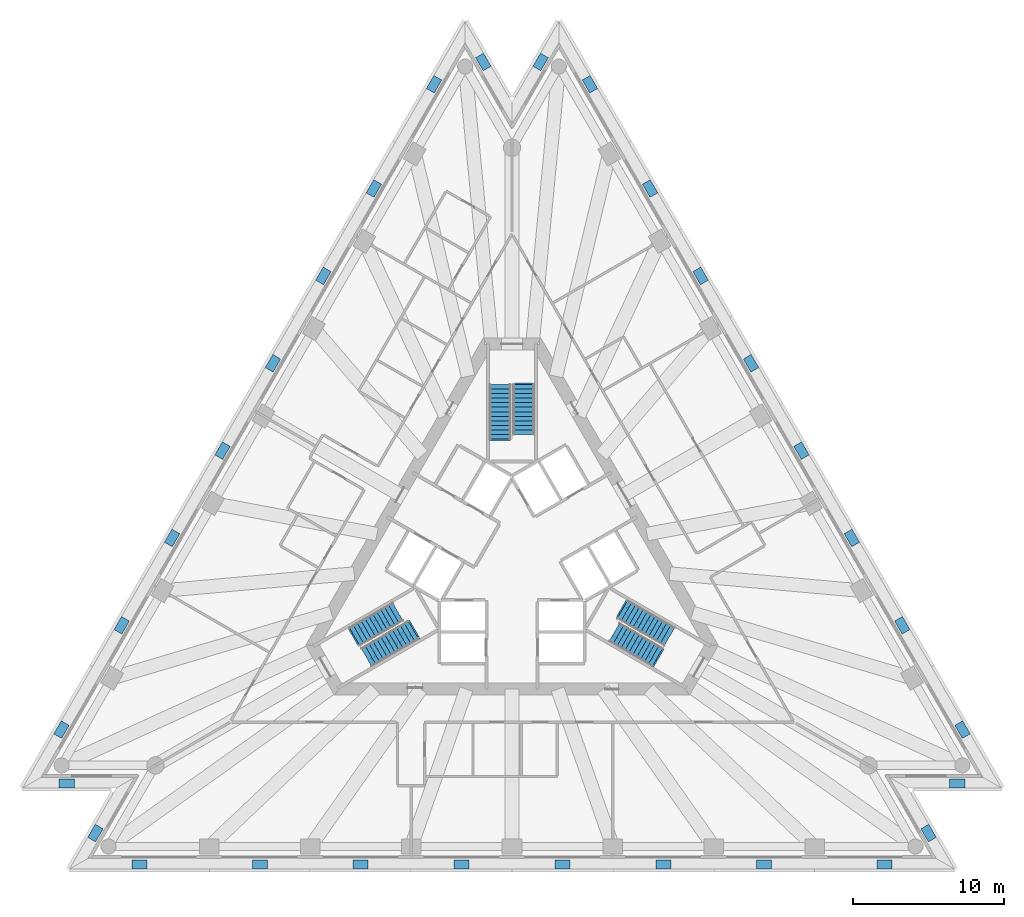
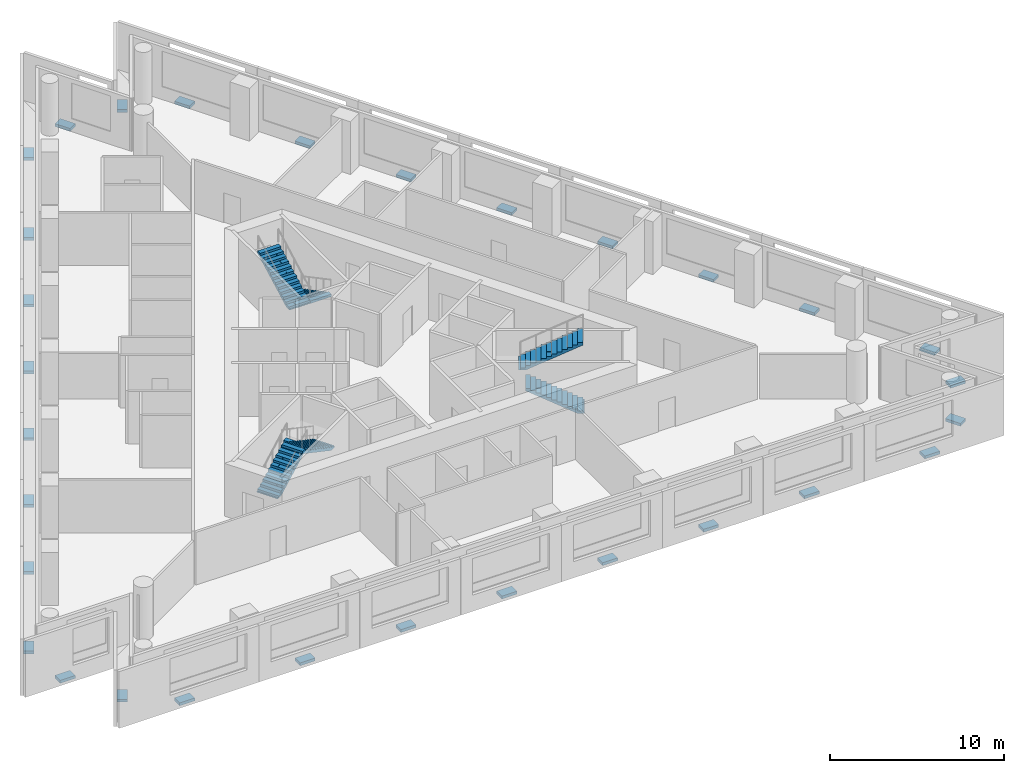
# One storey, part 7 of 9: 30 discrete accessories, 6 stair flights, 3 elements without a shape of their own.
"""IFC4 building model written with IfcOpenShell, lengths in metres."""

import ifcopenshell
import ifcopenshell.guid

model = None  # the IFC model being written
_history = None  # IfcOwnerHistory: only IFC2X3 demands one
_inside = {}  # id of a spatial element -> (the spatial element, [elements in it])
_under = {}  # id of a project, library or spatial element -> (it, [spatial elements below it])
_declared = {}  # id of a project -> (the project, [libraries it declares])
_typed = {}  # id of a type object -> (the type object, [elements of that type])
_made_of = {}  # id of a material, layer set ... -> (it, [elements and type objects made of it])


def new_model(schema):
    """Start an empty IFC model of exactly this schema.

    Asked for "IFC4X3", IfcOpenShell would pick the latest addendum, in which some entities
    have other attributes; the version numbers below select the first issue.
    IFC2X3 requires an IfcOwnerHistory on every rooted entity: one is made here for all.
    """
    global model, _history
    if schema == "IFC4X3":
        model = ifcopenshell.file(schema_version=(4, 3, 0, 0))
    else:
        model = ifcopenshell.file(schema=schema)
    _inside.clear()
    _under.clear()
    _declared.clear()
    _typed.clear()
    _made_of.clear()
    _history = None
    if model.schema == "IFC2X3":
        org = make("IfcOrganization", Name="unknown")
        user = make(
            "IfcPersonAndOrganization",
            ThePerson=make("IfcPerson", FamilyName="unknown"),
            TheOrganization=org,
        )
        app = make(
            "IfcApplication",
            ApplicationDeveloper=org,
            Version="unknown",
            ApplicationFullName="unknown",
            ApplicationIdentifier="unknown",
        )
        _history = make(
            "IfcOwnerHistory",
            OwningUser=user,
            OwningApplication=app,
            ChangeAction="ADDED",
            CreationDate=0,
        )
    return model


def make(cls, **values):
    """One entity of the class cls with the attributes given. An attribute that is None is left unset."""
    return model.create_entity(
        cls, **{name: value for name, value in values.items() if value is not None}
    )


def rooted(cls, **values):
    """An entity with a GlobalId (a new one), such as an element, a storey or a relation."""
    return make(cls, GlobalId=ifcopenshell.guid.new(), OwnerHistory=_history, **values)


def si_unit(unit_type, name, prefix=None):
    """IfcSIUnit, for example si_unit("LENGTHUNIT", "METRE", prefix="MILLI")."""
    return make("IfcSIUnit", UnitType=unit_type, Prefix=prefix, Name=name)


def assignment(units):
    """IfcUnitAssignment: the units of a project."""
    return None if units is None else make("IfcUnitAssignment", Units=units)


def point(xyz):
    """IfcCartesianPoint."""
    return None if xyz is None else make("IfcCartesianPoint", Coordinates=xyz)


def direction(xyz):
    """IfcDirection."""
    return None if xyz is None else make("IfcDirection", DirectionRatios=xyz)


def frame(location, z_axis=None, x_axis=None):
    """IfcAxis2Placement3D, a coordinate frame: its origin and axes. An axis left out is left unset."""
    return make(
        "IfcAxis2Placement3D",
        Location=point(location),
        Axis=direction(z_axis),
        RefDirection=direction(x_axis),
    )


def frame_2d(location, x_axis=None):
    """IfcAxis2Placement2D, a coordinate frame in the plane: its origin and x axis."""
    return make(
        "IfcAxis2Placement2D", Location=point(location), RefDirection=direction(x_axis)
    )


def origin():
    """The frame at (0, 0, 0) with its axes left unset."""
    return frame((0.0, 0.0, 0.0))


def origin_2d():
    """The frame at (0, 0) in the plane with its x axis left unset."""
    return frame_2d((0.0, 0.0))


def place(relative_to, where):
    """IfcLocalPlacement: puts the frame where relative to a parent placement (None: the world)."""
    return make(
        "IfcLocalPlacement", PlacementRelTo=relative_to, RelativePlacement=where
    )


def context(
    kind, dimensions, precision=None, world=None, true_north=None, identifier=None
):
    """IfcGeometricRepresentationContext, for example the 3D "Model" context."""
    return make(
        "IfcGeometricRepresentationContext",
        ContextIdentifier=identifier,
        ContextType=kind,
        CoordinateSpaceDimension=dimensions,
        Precision=precision,
        WorldCoordinateSystem=world,
        TrueNorth=true_north,
    )


def subcontext(parent, identifier, kind, view, scale=None):
    """IfcGeometricRepresentationSubContext, for example "Body" below "Model"."""
    return make(
        "IfcGeometricRepresentationSubContext",
        ContextIdentifier=identifier,
        ContextType=kind,
        ParentContext=parent,
        TargetScale=scale,
        TargetView=view,
    )


def project(units=None, contexts=None):
    """IfcProject with its units and contexts."""
    return rooted(
        "IfcProject",
        Name="project",
        RepresentationContexts=contexts,
        UnitsInContext=assignment(units),
    )


def spatial(cls, under=None, at=None, **own):
    """A site, building, storey or space (cls), placed at a placement, below another one or the project."""
    s = rooted(cls, ObjectPlacement=at, **own)
    if under is not None:
        _under.setdefault(under.id(), (under, []))[1].append(s)
    return s


def polyline(points):
    """IfcPolyline through the points."""
    return make("IfcPolyline", Points=[point(p) for p in points])


def profile(cls, at=None, kind="AREA", **sizes):
    """A parametric profile (cls). Its sizes go by their IFC names, for example OverallWidth=200.0."""
    return make(cls, ProfileType=kind, Position=at, **sizes)


def rectangle(**sizes):
    """IfcRectangleProfileDef."""
    return profile("IfcRectangleProfileDef", **sizes)


def outline(outer, holes=None, kind="AREA"):
    """IfcArbitraryClosedProfileDef: a profile drawn as a closed curve; with holes, ...WithVoids."""
    if holes is None:
        return make("IfcArbitraryClosedProfileDef", ProfileType=kind, OuterCurve=outer)
    return make(
        "IfcArbitraryProfileDefWithVoids",
        ProfileType=kind,
        OuterCurve=outer,
        InnerCurves=holes,
    )


def extrude(swept, where, along, depth):
    """IfcExtrudedAreaSolid: the profile swept, set in the frame where, extruded along a direction by depth."""
    return make(
        "IfcExtrudedAreaSolid",
        SweptArea=swept,
        Position=where,
        ExtrudedDirection=direction(along),
        Depth=depth,
    )


def shape(context_of_items, identifier, shape_type, items):
    """IfcShapeRepresentation: the items that make up one representation, for example the "Body"."""
    return make(
        "IfcShapeRepresentation",
        ContextOfItems=context_of_items,
        RepresentationIdentifier=identifier,
        RepresentationType=shape_type,
        Items=items,
    )


def material(Name=None, Category=None):
    """IfcMaterial."""
    return make("IfcMaterial", Name=Name, Category=Category)


def made_of(thing, what):
    """Note that an element or type object is made of a material, layer set ...; save() writes the relation."""
    if what is not None:
        _made_of.setdefault(what.id(), (what, []))[1].append(thing)
    return thing


def type_object(cls, material=None, **own):
    """A type object (cls), such as IfcWallType, which elements share."""
    return made_of(rooted(cls, **own), material)


def element(
    cls,
    number,
    at=None,
    inside=None,
    cuts=None,
    type_object=None,
    material=None,
    context=None,
    identifier="Body",
    shape_type=None,
    held_by="IfcProductDefinitionShape",
    body=None,
    shapes=None,
    **own,
):
    """One element of the class cls, such as IfcWall. Its Tag is "e" and its number.

    at: its placement. inside: the storey or other place that contains it. cuts: it is an
    opening in that element (IfcRelVoidsElement). A single representation is given by context,
    identifier, shape_type and body (its items); several are given by shapes. held_by: the class
    of the entity that holds the representations. save() writes the other relations.
    """
    e = rooted(cls, Tag="e%d" % number, ObjectPlacement=at, **own)
    if body is not None:
        shapes = [shape(context, identifier, shape_type, body)]
    if shapes is not None:
        e.Representation = make(held_by, Representations=shapes)
    if inside is not None:
        _inside.setdefault(inside.id(), (inside, []))[1].append(e)
    if cuts is not None:
        rooted(
            "IfcRelVoidsElement", RelatingBuildingElement=cuts, RelatedOpeningElement=e
        )
    if type_object is not None:
        _typed.setdefault(type_object.id(), (type_object, []))[1].append(e)
    return made_of(e, material)


def aggregate(whole, parts):
    """IfcRelAggregates: a whole, such as a stair, and the parts it consists of."""
    return rooted("IfcRelAggregates", RelatingObject=whole, RelatedObjects=parts)


def save(model, path):
    """Write the relations noted so far, then the file.

    IfcRelAggregates (storeys below a building ...), IfcRelContainedInSpatialStructure (elements
    in a storey), IfcRelDefinesByType, IfcRelAssociatesMaterial and IfcRelDeclares: one each for
    every whole, place, type object, material and project.
    """
    for whole, parts in _under.values():
        aggregate(whole, parts)
    for where, things in _inside.values():
        rooted(
            "IfcRelContainedInSpatialStructure",
            RelatedElements=things,
            RelatingStructure=where,
        )
    for kind, things in _typed.values():
        rooted("IfcRelDefinesByType", RelatedObjects=things, RelatingType=kind)
    for what, things in _made_of.values():
        rooted("IfcRelAssociatesMaterial", RelatedObjects=things, RelatingMaterial=what)
    for by, libraries in _declared.values():
        rooted("IfcRelDeclares", RelatingContext=by, RelatedDefinitions=libraries)
    model.write(path)


model = new_model("IFC4")

# Units and contexts
model_context = context("Model", 3, precision=1e-05, world=origin(), true_north=direction((0.0, 1.0)))
body_context = subcontext(model_context, "Body", "Model", "MODEL_VIEW")
ifc_project = project(units=[si_unit("LENGTHUNIT", "METRE"), si_unit("AREAUNIT", "SQUARE_METRE"), si_unit("VOLUMEUNIT", "CUBIC_METRE"), si_unit("PLANEANGLEUNIT", "RADIAN"), si_unit("MASSUNIT", "GRAM", prefix="KILO")], contexts=[model_context])

# Site, building, storey
site_placement = place(None, origin())
site = spatial("IfcSite", under=ifc_project, at=site_placement, CompositionType="ELEMENT")
building_placement = place(site_placement, origin())
building = spatial("IfcBuilding", under=site, at=building_placement, Name="Triada Interchange Tower", CompositionType="ELEMENT")
storey_placement = place(building_placement, frame((0.0, 0.0, 148.300048828125)))
storey = spatial("IfcBuildingStorey", under=building, at=storey_placement, Name="L34", CompositionType="ELEMENT", Elevation=148.300048828125)

# Stair, stair flights
ifc_material_1 = material(Name="Concrete C35/45", Category="concrete")
stair_type = type_object("IfcStairType", Name="HALF TURN STAIR 1400", PredefinedType="HALF_TURN_STAIR", material=ifc_material_1)
stair_1_placement = place(storey_placement, origin())
stair_1 = element("IfcStair", 1, at=stair_1_placement, inside=storey, type_object=stair_type, Name="Exit stair S32-1", PredefinedType="HALF_TURN_STAIR")
stair_flight_type = type_object("IfcStairFlightType", Name="STRAIGHT STAIR FLIGHT 1400", PredefinedType="STRAIGHT", material=ifc_material_1)
stair_flight_1_placement = place(storey_placement, frame((0.800048828125, 11.60009765625, 0.0), z_axis=(0.0, 0.0, 1.0), x_axis=(0.0, -1.0, 0.0)))
stair_flight_1 = element("IfcStairFlight", 2, at=stair_flight_1_placement, type_object=stair_flight_type, Name="S32-1 flight 1", NumberOfRisers=12, NumberOfTreads=11, PredefinedType="STRAIGHT", RiserHeight=0.16, TreadLength=0.3, context=body_context, shape_type="SweptSolid", body=[
    extrude(outline(polyline([(-0.10009765625, 0.0), (-0.10009765625, 0.02001953125), (0.0, 0.02001953125), (0.0, 0.159912109375), (0.300048828125, 0.159912109375), (0.300048828125, 0.320068359375), (0.60009765625, 0.320068359375), (0.60009765625, 0.47998046875), (0.89990234375, 0.47998046875), (0.89990234375, 0.639892578125), (1.199951171875, 0.639892578125), (1.199951171875, 0.800048828125), (1.5, 0.800048828125), (1.5, 0.9599609375), (1.800048828125, 0.9599609375), (1.800048828125, 1.1201171875), (2.10009765625, 1.1201171875), (2.10009765625, 1.280029296875), (2.39990234375, 1.280029296875), (2.39990234375, 1.43994140625), (2.699951171875, 1.43994140625), (2.699951171875, 1.60009765625), (3.0, 1.60009765625), (3.0, 1.760009765625), (3.300048828125, 1.760009765625), (3.303955078125, 1.760009765625), (3.303955078125, 1.919921875), (3.303955078125, 1.590087890625), (0.318603515625, 0.0), (-0.10009765625, 0.0)])), frame((0.0, 0.699951171875, 0.0), z_axis=(0.0, -1.0, 0.0), x_axis=(1.0, 0.0, 0.0)), (0.0, 0.0, 1.0), 0.46533203125),
    extrude(outline(polyline([(-0.10009765625, 0.0), (-0.10009765625, 0.02001953125), (0.0, 0.02001953125), (0.0, 0.159912109375), (0.300048828125, 0.159912109375), (0.300048828125, 0.320068359375), (0.60009765625, 0.320068359375), (0.60009765625, 0.47998046875), (0.89990234375, 0.47998046875), (0.89990234375, 0.639892578125), (1.199951171875, 0.639892578125), (1.199951171875, 0.800048828125), (1.5, 0.800048828125), (1.5, 0.9599609375), (1.800048828125, 0.9599609375), (1.800048828125, 1.1201171875), (2.10009765625, 1.1201171875), (2.10009765625, 1.280029296875), (2.39990234375, 1.280029296875), (2.39990234375, 1.43994140625), (2.699951171875, 1.43994140625), (2.699951171875, 1.60009765625), (3.0, 1.60009765625), (3.0, 1.760009765625), (3.300048828125, 1.760009765625), (3.303955078125, 1.760009765625), (3.303955078125, 1.919921875), (3.303955078125, 1.590087890625), (0.318603515625, 0.0), (-0.10009765625, 0.0)])), frame((0.0, 0.232666015625, 0.0), z_axis=(0.0, -1.0, 0.0), x_axis=(1.0, 0.0, 0.0)), (0.0, 0.0, 1.0), 0.46533203125),
    extrude(outline(polyline([(-0.10009765625, 0.0), (-0.10009765625, 0.02001953125), (0.0, 0.02001953125), (0.0, 0.159912109375), (0.300048828125, 0.159912109375), (0.300048828125, 0.320068359375), (0.60009765625, 0.320068359375), (0.60009765625, 0.47998046875), (0.89990234375, 0.47998046875), (0.89990234375, 0.639892578125), (1.199951171875, 0.639892578125), (1.199951171875, 0.800048828125), (1.5, 0.800048828125), (1.5, 0.9599609375), (1.800048828125, 0.9599609375), (1.800048828125, 1.1201171875), (2.10009765625, 1.1201171875), (2.10009765625, 1.280029296875), (2.39990234375, 1.280029296875), (2.39990234375, 1.43994140625), (2.699951171875, 1.43994140625), (2.699951171875, 1.60009765625), (3.0, 1.60009765625), (3.0, 1.760009765625), (3.300048828125, 1.760009765625), (3.303955078125, 1.760009765625), (3.303955078125, 1.919921875), (3.303955078125, 1.590087890625), (0.318603515625, 0.0), (-0.10009765625, 0.0)])), frame((0.0, -0.234619140625, 0.0), z_axis=(0.0, -1.0, 0.0), x_axis=(1.0, 0.0, 0.0)), (0.0, 0.0, 1.0), 0.46533203125),
])
stair_flight_2_placement = place(storey_placement, frame((-0.800048828125, 8.0, 1.919921875), z_axis=(0.0, 0.0, 1.0), x_axis=(0.0, 1.0, 0.0)))
stair_flight_2 = element("IfcStairFlight", 3, at=stair_flight_2_placement, type_object=stair_flight_type, Name="S32-1 flight 2", NumberOfRisers=13, NumberOfTreads=12, PredefinedType="STRAIGHT", RiserHeight=0.16, TreadLength=0.3, context=body_context, shape_type="SweptSolid", body=[
    extrude(outline(polyline([(-0.10009765625, 0.0), (-0.10009765625, 0.02001953125), (0.0, 0.02001953125), (0.0, 0.159912109375), (0.300048828125, 0.159912109375), (0.300048828125, 0.320068359375), (0.60009765625, 0.320068359375), (0.60009765625, 0.47998046875), (0.89990234375, 0.47998046875), (0.89990234375, 0.639892578125), (1.199951171875, 0.639892578125), (1.199951171875, 0.800048828125), (1.5, 0.800048828125), (1.5, 0.9599609375), (1.800048828125, 0.9599609375), (1.800048828125, 1.1201171875), (2.10009765625, 1.1201171875), (2.10009765625, 1.280029296875), (2.39990234375, 1.280029296875), (2.39990234375, 1.43994140625), (2.699951171875, 1.43994140625), (2.699951171875, 1.60009765625), (3.0, 1.60009765625), (3.0, 1.760009765625), (3.300048828125, 1.760009765625), (3.300048828125, 1.919921875), (3.60009765625, 1.919921875), (3.60400390625, 1.919921875), (3.60400390625, 2.080078125), (3.60400390625, 1.75), (0.318603515625, 0.0), (-0.10009765625, 0.0)])), frame((0.0, 0.699951171875, 0.0), z_axis=(0.0, -1.0, 0.0), x_axis=(1.0, 0.0, 0.0)), (0.0, 0.0, 1.0), 0.46533203125),
    extrude(outline(polyline([(-0.10009765625, 0.0), (-0.10009765625, 0.02001953125), (0.0, 0.02001953125), (0.0, 0.159912109375), (0.300048828125, 0.159912109375), (0.300048828125, 0.320068359375), (0.60009765625, 0.320068359375), (0.60009765625, 0.47998046875), (0.89990234375, 0.47998046875), (0.89990234375, 0.639892578125), (1.199951171875, 0.639892578125), (1.199951171875, 0.800048828125), (1.5, 0.800048828125), (1.5, 0.9599609375), (1.800048828125, 0.9599609375), (1.800048828125, 1.1201171875), (2.10009765625, 1.1201171875), (2.10009765625, 1.280029296875), (2.39990234375, 1.280029296875), (2.39990234375, 1.43994140625), (2.699951171875, 1.43994140625), (2.699951171875, 1.60009765625), (3.0, 1.60009765625), (3.0, 1.760009765625), (3.300048828125, 1.760009765625), (3.300048828125, 1.919921875), (3.60009765625, 1.919921875), (3.60400390625, 1.919921875), (3.60400390625, 2.080078125), (3.60400390625, 1.75), (0.318603515625, 0.0), (-0.10009765625, 0.0)])), frame((0.0, 0.232666015625, 0.0), z_axis=(0.0, -1.0, 0.0), x_axis=(1.0, 0.0, 0.0)), (0.0, 0.0, 1.0), 0.46533203125),
    extrude(outline(polyline([(-0.10009765625, 0.0), (-0.10009765625, 0.02001953125), (0.0, 0.02001953125), (0.0, 0.159912109375), (0.300048828125, 0.159912109375), (0.300048828125, 0.320068359375), (0.60009765625, 0.320068359375), (0.60009765625, 0.47998046875), (0.89990234375, 0.47998046875), (0.89990234375, 0.639892578125), (1.199951171875, 0.639892578125), (1.199951171875, 0.800048828125), (1.5, 0.800048828125), (1.5, 0.9599609375), (1.800048828125, 0.9599609375), (1.800048828125, 1.1201171875), (2.10009765625, 1.1201171875), (2.10009765625, 1.280029296875), (2.39990234375, 1.280029296875), (2.39990234375, 1.43994140625), (2.699951171875, 1.43994140625), (2.699951171875, 1.60009765625), (3.0, 1.60009765625), (3.0, 1.760009765625), (3.300048828125, 1.760009765625), (3.300048828125, 1.919921875), (3.60009765625, 1.919921875), (3.60400390625, 1.919921875), (3.60400390625, 2.080078125), (3.60400390625, 1.75), (0.318603515625, 0.0), (-0.10009765625, 0.0)])), frame((0.0, -0.234619140625, 0.0), z_axis=(0.0, -1.0, 0.0), x_axis=(1.0, 0.0, 0.0)), (0.0, 0.0, 1.0), 0.46533203125),
])
aggregate(stair_1, [stair_flight_1, stair_flight_2])

stair_2_placement = place(storey_placement, origin())
stair_2 = element("IfcStair", 4, at=stair_2_placement, inside=storey, type_object=stair_type, Name="Exit stair S32-2", PredefinedType="HALF_TURN_STAIR")
stair_flight_3_placement = place(storey_placement, frame((-10.446044921875, -5.10693359375, 0.0), z_axis=(0.0, 0.0, 1.0), x_axis=(0.866025403784, 0.5, 0.0)))
stair_flight_3 = element("IfcStairFlight", 5, at=stair_flight_3_placement, type_object=stair_flight_type, Name="S32-2 flight 1", NumberOfRisers=12, NumberOfTreads=11, PredefinedType="STRAIGHT", RiserHeight=0.16, TreadLength=0.3, context=body_context, shape_type="SweptSolid", body=[
    extrude(outline(polyline([(-0.10009765625, 0.0), (-0.10009765625, 0.02001953125), (0.0, 0.02001953125), (0.0, 0.159912109375), (0.300048828125, 0.159912109375), (0.300048828125, 0.320068359375), (0.60009765625, 0.320068359375), (0.60009765625, 0.47998046875), (0.89990234375, 0.47998046875), (0.89990234375, 0.639892578125), (1.199951171875, 0.639892578125), (1.199951171875, 0.800048828125), (1.5, 0.800048828125), (1.5, 0.9599609375), (1.800048828125, 0.9599609375), (1.800048828125, 1.1201171875), (2.10009765625, 1.1201171875), (2.10009765625, 1.280029296875), (2.39990234375, 1.280029296875), (2.39990234375, 1.43994140625), (2.699951171875, 1.43994140625), (2.699951171875, 1.60009765625), (3.0, 1.60009765625), (3.0, 1.760009765625), (3.300048828125, 1.760009765625), (3.303955078125, 1.760009765625), (3.303955078125, 1.919921875), (3.303955078125, 1.590087890625), (0.318603515625, 0.0), (-0.10009765625, 0.0)])), frame((0.0, 0.699951171875, 0.0), z_axis=(0.0, -1.0, 0.0), x_axis=(1.0, 0.0, 0.0)), (0.0, 0.0, 1.0), 0.46533203125),
    extrude(outline(polyline([(-0.10009765625, 0.0), (-0.10009765625, 0.02001953125), (0.0, 0.02001953125), (0.0, 0.159912109375), (0.300048828125, 0.159912109375), (0.300048828125, 0.320068359375), (0.60009765625, 0.320068359375), (0.60009765625, 0.47998046875), (0.89990234375, 0.47998046875), (0.89990234375, 0.639892578125), (1.199951171875, 0.639892578125), (1.199951171875, 0.800048828125), (1.5, 0.800048828125), (1.5, 0.9599609375), (1.800048828125, 0.9599609375), (1.800048828125, 1.1201171875), (2.10009765625, 1.1201171875), (2.10009765625, 1.280029296875), (2.39990234375, 1.280029296875), (2.39990234375, 1.43994140625), (2.699951171875, 1.43994140625), (2.699951171875, 1.60009765625), (3.0, 1.60009765625), (3.0, 1.760009765625), (3.300048828125, 1.760009765625), (3.303955078125, 1.760009765625), (3.303955078125, 1.919921875), (3.303955078125, 1.590087890625), (0.318603515625, 0.0), (-0.10009765625, 0.0)])), frame((0.0, 0.232666015625, 0.0), z_axis=(0.0, -1.0, 0.0), x_axis=(1.0, 0.0, 0.0)), (0.0, 0.0, 1.0), 0.46533203125),
    extrude(outline(polyline([(-0.10009765625, 0.0), (-0.10009765625, 0.02001953125), (0.0, 0.02001953125), (0.0, 0.159912109375), (0.300048828125, 0.159912109375), (0.300048828125, 0.320068359375), (0.60009765625, 0.320068359375), (0.60009765625, 0.47998046875), (0.89990234375, 0.47998046875), (0.89990234375, 0.639892578125), (1.199951171875, 0.639892578125), (1.199951171875, 0.800048828125), (1.5, 0.800048828125), (1.5, 0.9599609375), (1.800048828125, 0.9599609375), (1.800048828125, 1.1201171875), (2.10009765625, 1.1201171875), (2.10009765625, 1.280029296875), (2.39990234375, 1.280029296875), (2.39990234375, 1.43994140625), (2.699951171875, 1.43994140625), (2.699951171875, 1.60009765625), (3.0, 1.60009765625), (3.0, 1.760009765625), (3.300048828125, 1.760009765625), (3.303955078125, 1.760009765625), (3.303955078125, 1.919921875), (3.303955078125, 1.590087890625), (0.318603515625, 0.0), (-0.10009765625, 0.0)])), frame((0.0, -0.234619140625, 0.0), z_axis=(0.0, -1.0, 0.0), x_axis=(1.0, 0.0, 0.0)), (0.0, 0.0, 1.0), 0.46533203125),
])
stair_flight_4_placement = place(storey_placement, frame((-6.528076171875, -4.693115234375, 1.919921875), z_axis=(0.0, 0.0, 1.0), x_axis=(-0.866025403784, -0.5, 0.0)))
stair_flight_4 = element("IfcStairFlight", 6, at=stair_flight_4_placement, type_object=stair_flight_type, Name="S32-2 flight 2", NumberOfRisers=13, NumberOfTreads=12, PredefinedType="STRAIGHT", RiserHeight=0.16, TreadLength=0.3, context=body_context, shape_type="SweptSolid", body=[
    extrude(outline(polyline([(-0.10009765625, 0.0), (-0.10009765625, 0.02001953125), (0.0, 0.02001953125), (0.0, 0.159912109375), (0.300048828125, 0.159912109375), (0.300048828125, 0.320068359375), (0.60009765625, 0.320068359375), (0.60009765625, 0.47998046875), (0.89990234375, 0.47998046875), (0.89990234375, 0.639892578125), (1.199951171875, 0.639892578125), (1.199951171875, 0.800048828125), (1.5, 0.800048828125), (1.5, 0.9599609375), (1.800048828125, 0.9599609375), (1.800048828125, 1.1201171875), (2.10009765625, 1.1201171875), (2.10009765625, 1.280029296875), (2.39990234375, 1.280029296875), (2.39990234375, 1.43994140625), (2.699951171875, 1.43994140625), (2.699951171875, 1.60009765625), (3.0, 1.60009765625), (3.0, 1.760009765625), (3.300048828125, 1.760009765625), (3.300048828125, 1.919921875), (3.60009765625, 1.919921875), (3.60400390625, 1.919921875), (3.60400390625, 2.080078125), (3.60400390625, 1.75), (0.318603515625, 0.0), (-0.10009765625, 0.0)])), frame((0.0, 0.699951171875, 0.0), z_axis=(0.0, -1.0, 0.0), x_axis=(1.0, 0.0, 0.0)), (0.0, 0.0, 1.0), 0.46533203125),
    extrude(outline(polyline([(-0.10009765625, 0.0), (-0.10009765625, 0.02001953125), (0.0, 0.02001953125), (0.0, 0.159912109375), (0.300048828125, 0.159912109375), (0.300048828125, 0.320068359375), (0.60009765625, 0.320068359375), (0.60009765625, 0.47998046875), (0.89990234375, 0.47998046875), (0.89990234375, 0.639892578125), (1.199951171875, 0.639892578125), (1.199951171875, 0.800048828125), (1.5, 0.800048828125), (1.5, 0.9599609375), (1.800048828125, 0.9599609375), (1.800048828125, 1.1201171875), (2.10009765625, 1.1201171875), (2.10009765625, 1.280029296875), (2.39990234375, 1.280029296875), (2.39990234375, 1.43994140625), (2.699951171875, 1.43994140625), (2.699951171875, 1.60009765625), (3.0, 1.60009765625), (3.0, 1.760009765625), (3.300048828125, 1.760009765625), (3.300048828125, 1.919921875), (3.60009765625, 1.919921875), (3.60400390625, 1.919921875), (3.60400390625, 2.080078125), (3.60400390625, 1.75), (0.318603515625, 0.0), (-0.10009765625, 0.0)])), frame((0.0, 0.232666015625, 0.0), z_axis=(0.0, -1.0, 0.0), x_axis=(1.0, 0.0, 0.0)), (0.0, 0.0, 1.0), 0.46533203125),
    extrude(outline(polyline([(-0.10009765625, 0.0), (-0.10009765625, 0.02001953125), (0.0, 0.02001953125), (0.0, 0.159912109375), (0.300048828125, 0.159912109375), (0.300048828125, 0.320068359375), (0.60009765625, 0.320068359375), (0.60009765625, 0.47998046875), (0.89990234375, 0.47998046875), (0.89990234375, 0.639892578125), (1.199951171875, 0.639892578125), (1.199951171875, 0.800048828125), (1.5, 0.800048828125), (1.5, 0.9599609375), (1.800048828125, 0.9599609375), (1.800048828125, 1.1201171875), (2.10009765625, 1.1201171875), (2.10009765625, 1.280029296875), (2.39990234375, 1.280029296875), (2.39990234375, 1.43994140625), (2.699951171875, 1.43994140625), (2.699951171875, 1.60009765625), (3.0, 1.60009765625), (3.0, 1.760009765625), (3.300048828125, 1.760009765625), (3.300048828125, 1.919921875), (3.60009765625, 1.919921875), (3.60400390625, 1.919921875), (3.60400390625, 2.080078125), (3.60400390625, 1.75), (0.318603515625, 0.0), (-0.10009765625, 0.0)])), frame((0.0, -0.234619140625, 0.0), z_axis=(0.0, -1.0, 0.0), x_axis=(1.0, 0.0, 0.0)), (0.0, 0.0, 1.0), 0.46533203125),
])
aggregate(stair_2, [stair_flight_3, stair_flight_4])

stair_3_placement = place(storey_placement, origin())
stair_3 = element("IfcStair", 7, at=stair_3_placement, inside=storey, type_object=stair_type, Name="Exit stair S32-3", PredefinedType="HALF_TURN_STAIR")
stair_flight_5_placement = place(storey_placement, frame((9.64599609375, -6.492919921875, 0.0), z_axis=(0.0, 0.0, 1.0), x_axis=(-0.866025403784, 0.5, 0.0)))
stair_flight_5 = element("IfcStairFlight", 8, at=stair_flight_5_placement, type_object=stair_flight_type, Name="S32-3 flight 1", NumberOfRisers=12, NumberOfTreads=11, PredefinedType="STRAIGHT", RiserHeight=0.16, TreadLength=0.3, context=body_context, shape_type="SweptSolid", body=[
    extrude(outline(polyline([(-0.10009765625, 0.0), (-0.10009765625, 0.02001953125), (0.0, 0.02001953125), (0.0, 0.159912109375), (0.300048828125, 0.159912109375), (0.300048828125, 0.320068359375), (0.60009765625, 0.320068359375), (0.60009765625, 0.47998046875), (0.89990234375, 0.47998046875), (0.89990234375, 0.639892578125), (1.199951171875, 0.639892578125), (1.199951171875, 0.800048828125), (1.5, 0.800048828125), (1.5, 0.9599609375), (1.800048828125, 0.9599609375), (1.800048828125, 1.1201171875), (2.10009765625, 1.1201171875), (2.10009765625, 1.280029296875), (2.39990234375, 1.280029296875), (2.39990234375, 1.43994140625), (2.699951171875, 1.43994140625), (2.699951171875, 1.60009765625), (3.0, 1.60009765625), (3.0, 1.760009765625), (3.300048828125, 1.760009765625), (3.303955078125, 1.760009765625), (3.303955078125, 1.919921875), (3.303955078125, 1.590087890625), (0.318603515625, 0.0), (-0.10009765625, 0.0)])), frame((0.0, 0.699951171875, 0.0), z_axis=(0.0, -1.0, 0.0), x_axis=(1.0, 0.0, 0.0)), (0.0, 0.0, 1.0), 0.46533203125),
    extrude(outline(polyline([(-0.10009765625, 0.0), (-0.10009765625, 0.02001953125), (0.0, 0.02001953125), (0.0, 0.159912109375), (0.300048828125, 0.159912109375), (0.300048828125, 0.320068359375), (0.60009765625, 0.320068359375), (0.60009765625, 0.47998046875), (0.89990234375, 0.47998046875), (0.89990234375, 0.639892578125), (1.199951171875, 0.639892578125), (1.199951171875, 0.800048828125), (1.5, 0.800048828125), (1.5, 0.9599609375), (1.800048828125, 0.9599609375), (1.800048828125, 1.1201171875), (2.10009765625, 1.1201171875), (2.10009765625, 1.280029296875), (2.39990234375, 1.280029296875), (2.39990234375, 1.43994140625), (2.699951171875, 1.43994140625), (2.699951171875, 1.60009765625), (3.0, 1.60009765625), (3.0, 1.760009765625), (3.300048828125, 1.760009765625), (3.303955078125, 1.760009765625), (3.303955078125, 1.919921875), (3.303955078125, 1.590087890625), (0.318603515625, 0.0), (-0.10009765625, 0.0)])), frame((0.0, 0.232666015625, 0.0), z_axis=(0.0, -1.0, 0.0), x_axis=(1.0, 0.0, 0.0)), (0.0, 0.0, 1.0), 0.46533203125),
    extrude(outline(polyline([(-0.10009765625, 0.0), (-0.10009765625, 0.02001953125), (0.0, 0.02001953125), (0.0, 0.159912109375), (0.300048828125, 0.159912109375), (0.300048828125, 0.320068359375), (0.60009765625, 0.320068359375), (0.60009765625, 0.47998046875), (0.89990234375, 0.47998046875), (0.89990234375, 0.639892578125), (1.199951171875, 0.639892578125), (1.199951171875, 0.800048828125), (1.5, 0.800048828125), (1.5, 0.9599609375), (1.800048828125, 0.9599609375), (1.800048828125, 1.1201171875), (2.10009765625, 1.1201171875), (2.10009765625, 1.280029296875), (2.39990234375, 1.280029296875), (2.39990234375, 1.43994140625), (2.699951171875, 1.43994140625), (2.699951171875, 1.60009765625), (3.0, 1.60009765625), (3.0, 1.760009765625), (3.300048828125, 1.760009765625), (3.303955078125, 1.760009765625), (3.303955078125, 1.919921875), (3.303955078125, 1.590087890625), (0.318603515625, 0.0), (-0.10009765625, 0.0)])), frame((0.0, -0.234619140625, 0.0), z_axis=(0.0, -1.0, 0.0), x_axis=(1.0, 0.0, 0.0)), (0.0, 0.0, 1.0), 0.46533203125),
])
stair_flight_6_placement = place(storey_placement, frame((7.327880859375, -3.306884765625, 1.919921875), z_axis=(0.0, 0.0, 1.0), x_axis=(0.866025403784, -0.5, 0.0)))
stair_flight_6 = element("IfcStairFlight", 9, at=stair_flight_6_placement, type_object=stair_flight_type, Name="S32-3 flight 2", NumberOfRisers=13, NumberOfTreads=12, PredefinedType="STRAIGHT", RiserHeight=0.16, TreadLength=0.3, context=body_context, shape_type="SweptSolid", body=[
    extrude(outline(polyline([(-0.10009765625, 0.0), (-0.10009765625, 0.02001953125), (0.0, 0.02001953125), (0.0, 0.159912109375), (0.300048828125, 0.159912109375), (0.300048828125, 0.320068359375), (0.60009765625, 0.320068359375), (0.60009765625, 0.47998046875), (0.89990234375, 0.47998046875), (0.89990234375, 0.639892578125), (1.199951171875, 0.639892578125), (1.199951171875, 0.800048828125), (1.5, 0.800048828125), (1.5, 0.9599609375), (1.800048828125, 0.9599609375), (1.800048828125, 1.1201171875), (2.10009765625, 1.1201171875), (2.10009765625, 1.280029296875), (2.39990234375, 1.280029296875), (2.39990234375, 1.43994140625), (2.699951171875, 1.43994140625), (2.699951171875, 1.60009765625), (3.0, 1.60009765625), (3.0, 1.760009765625), (3.300048828125, 1.760009765625), (3.300048828125, 1.919921875), (3.60009765625, 1.919921875), (3.60400390625, 1.919921875), (3.60400390625, 2.080078125), (3.60400390625, 1.75), (0.318603515625, 0.0), (-0.10009765625, 0.0)])), frame((0.0, 0.699951171875, 0.0), z_axis=(0.0, -1.0, 0.0), x_axis=(1.0, 0.0, 0.0)), (0.0, 0.0, 1.0), 0.46533203125),
    extrude(outline(polyline([(-0.10009765625, 0.0), (-0.10009765625, 0.02001953125), (0.0, 0.02001953125), (0.0, 0.159912109375), (0.300048828125, 0.159912109375), (0.300048828125, 0.320068359375), (0.60009765625, 0.320068359375), (0.60009765625, 0.47998046875), (0.89990234375, 0.47998046875), (0.89990234375, 0.639892578125), (1.199951171875, 0.639892578125), (1.199951171875, 0.800048828125), (1.5, 0.800048828125), (1.5, 0.9599609375), (1.800048828125, 0.9599609375), (1.800048828125, 1.1201171875), (2.10009765625, 1.1201171875), (2.10009765625, 1.280029296875), (2.39990234375, 1.280029296875), (2.39990234375, 1.43994140625), (2.699951171875, 1.43994140625), (2.699951171875, 1.60009765625), (3.0, 1.60009765625), (3.0, 1.760009765625), (3.300048828125, 1.760009765625), (3.300048828125, 1.919921875), (3.60009765625, 1.919921875), (3.60400390625, 1.919921875), (3.60400390625, 2.080078125), (3.60400390625, 1.75), (0.318603515625, 0.0), (-0.10009765625, 0.0)])), frame((0.0, 0.232666015625, 0.0), z_axis=(0.0, -1.0, 0.0), x_axis=(1.0, 0.0, 0.0)), (0.0, 0.0, 1.0), 0.46533203125),
    extrude(outline(polyline([(-0.10009765625, 0.0), (-0.10009765625, 0.02001953125), (0.0, 0.02001953125), (0.0, 0.159912109375), (0.300048828125, 0.159912109375), (0.300048828125, 0.320068359375), (0.60009765625, 0.320068359375), (0.60009765625, 0.47998046875), (0.89990234375, 0.47998046875), (0.89990234375, 0.639892578125), (1.199951171875, 0.639892578125), (1.199951171875, 0.800048828125), (1.5, 0.800048828125), (1.5, 0.9599609375), (1.800048828125, 0.9599609375), (1.800048828125, 1.1201171875), (2.10009765625, 1.1201171875), (2.10009765625, 1.280029296875), (2.39990234375, 1.280029296875), (2.39990234375, 1.43994140625), (2.699951171875, 1.43994140625), (2.699951171875, 1.60009765625), (3.0, 1.60009765625), (3.0, 1.760009765625), (3.300048828125, 1.760009765625), (3.300048828125, 1.919921875), (3.60009765625, 1.919921875), (3.60400390625, 1.919921875), (3.60400390625, 2.080078125), (3.60400390625, 1.75), (0.318603515625, 0.0), (-0.10009765625, 0.0)])), frame((0.0, -0.234619140625, 0.0), z_axis=(0.0, -1.0, 0.0), x_axis=(1.0, 0.0, 0.0)), (0.0, 0.0, 1.0), 0.46533203125),
])
aggregate(stair_3, [stair_flight_5, stair_flight_6])

# Discrete accessories
ifc_material_2 = material(Name="Steel S355", Category="steel")
discrete_accessory_type = type_object("IfcDiscreteAccessoryType", Name="Steel bracket outer skin", PredefinedType="BRACKET", material=ifc_material_2)
for number, where, z_axis, x_axis, name in (
    (10, (-5.169921875, 31.52197265625, -0.27001953125), (0.0, 0.0, 1.0), (-0.866021223691, 0.500007240065, 0.0), "Bracket L34 01"),
    (11, (-9.1650390625, 24.60400390625, -0.27001953125), (0.0, 0.0, 1.0), (-0.866021223691, 0.500007240065, 0.0), "Bracket L34 02"),
    (12, (-12.510009765625, 18.81005859375, -0.27001953125), (0.0, 0.0, 1.0), (-0.866021223691, 0.500007240065, 0.0), "Bracket L34 03"),
    (13, (-15.85498046875, 13.01611328125, -0.27001953125), (0.0, 0.0, 1.0), (-0.866021223691, 0.500007240065, 0.0), "Bracket L34 04"),
    (14, (-19.199951171875, 7.222900390625, -0.27001953125), (0.0, 0.0, 1.0), (-0.866021223691, 0.500007240065, 0.0), "Bracket L34 05"),
    (15, (-22.544921875, 1.428955078125, -0.27001953125), (0.0, 0.0, 1.0), (-0.866021223691, 0.500007240065, 0.0), "Bracket L34 06"),
    (16, (-25.889892578125, -4.364990234375, -0.27001953125), (0.0, 0.0, 1.0), (-0.866021223691, 0.500007240065, 0.0), "Bracket L34 07"),
    (17, (-29.884033203125, -11.282958984375, -0.27001953125), (0.0, 0.0, 1.0), (-0.866021223691, 0.500007240065, 0.0), "Bracket L34 08"),
    (18, (-29.531982421875, -14.85498046875, -0.27001953125), (0.0, 0.0, 1.0), (0.0, -1.0, 0.0), "Bracket L34 09"),
    (19, (-27.631103515625, -18.14697265625, -0.27001953125), (0.0, 0.0, 1.0), (-0.866057009967, 0.49994525249, 0.0), "Bracket L34 10"),
    (20, (-24.714111328125, -20.239013671875, -0.27001953125), (0.0, 0.0, 1.0), (0.0, -1.0, 0.0), "Bracket L34 11"),
    (21, (-16.72509765625, -20.239013671875, -0.27001953125), (0.0, 0.0, 1.0), (0.0, -1.0, 0.0), "Bracket L34 12"),
    (22, (-10.034912109375, -20.239013671875, -0.27001953125), (0.0, 0.0, 1.0), (0.0, -1.0, 0.0), "Bracket L34 13"),
    (23, (-3.344970703125, -20.239013671875, -0.27001953125), (0.0, 0.0, 1.0), (0.0, -1.0, 0.0), "Bracket L34 14"),
    (24, (3.344970703125, -20.239013671875, -0.27001953125), (0.0, 0.0, 1.0), (0.0, -1.0, 0.0), "Bracket L34 15"),
    (25, (10.034912109375, -20.239013671875, -0.27001953125), (0.0, 0.0, 1.0), (0.0, -1.0, 0.0), "Bracket L34 16"),
    (26, (16.72509765625, -20.239013671875, -0.27001953125), (0.0, 0.0, 1.0), (0.0, -1.0, 0.0), "Bracket L34 17"),
    (27, (24.714111328125, -20.239013671875, -0.27001953125), (0.0, 0.0, 1.0), (0.0, -1.0, 0.0), "Bracket L34 18"),
    (28, (27.631103515625, -18.14697265625, -0.27001953125), (0.0, 0.0, 1.0), (0.866057009967, 0.49994525249, 0.0), "Bracket L34 19"),
    (29, (29.531982421875, -14.85498046875, -0.27001953125), (0.0, 0.0, 1.0), (0.0, -1.0, 0.0), "Bracket L34 20"),
    (30, (29.884033203125, -11.282958984375, -0.27001953125), (0.0, 0.0, 1.0), (0.866021223691, 0.500007240065, 0.0), "Bracket L34 21"),
    (31, (25.889892578125, -4.364990234375, -0.27001953125), (0.0, 0.0, 1.0), (0.866021223691, 0.500007240065, 0.0), "Bracket L34 22"),
    (32, (22.544921875, 1.428955078125, -0.27001953125), (0.0, 0.0, 1.0), (0.866021223691, 0.500007240065, 0.0), "Bracket L34 23"),
    (33, (19.199951171875, 7.222900390625, -0.27001953125), (0.0, 0.0, 1.0), (0.866021223691, 0.500007240065, 0.0), "Bracket L34 24"),
    (34, (15.85498046875, 13.01611328125, -0.27001953125), (0.0, 0.0, 1.0), (0.866021223691, 0.500007240065, 0.0), "Bracket L34 25"),
    (35, (12.510009765625, 18.81005859375, -0.27001953125), (0.0, 0.0, 1.0), (0.866021223691, 0.500007240065, 0.0), "Bracket L34 26"),
    (36, (9.1650390625, 24.60400390625, -0.27001953125), (0.0, 0.0, 1.0), (0.866021223691, 0.500007240065, 0.0), "Bracket L34 27"),
    (37, (5.169921875, 31.52197265625, -0.27001953125), (0.0, 0.0, 1.0), (0.866021223691, 0.500007240065, 0.0), "Bracket L34 28"),
    (38, (1.89990234375, 33.001953125, -0.27001953125), (0.0, 0.0, 1.0), (-0.866016799183, 0.500014903311, 0.0), "Bracket L34 29"),
    (39, (-1.89990234375, 33.001953125, -0.27001953125), (0.0, 0.0, 1.0), (0.866016799183, 0.500014903311, 0.0), "Bracket L34 30"),
):
    element("IfcDiscreteAccessory", number, at=place(storey_placement, frame(where, z_axis=z_axis, x_axis=x_axis)), inside=storey, type_object=discrete_accessory_type, Name=name, PredefinedType="BRACKET", context=body_context, shape_type="SweptSolid", body=[
        extrude(rectangle(XDim=0.60009765625, YDim=1.0, at=origin_2d()), origin(), (0.0, 0.0, 1.0), 0.199951171875),
    ])

save(model, "model.ifc")
